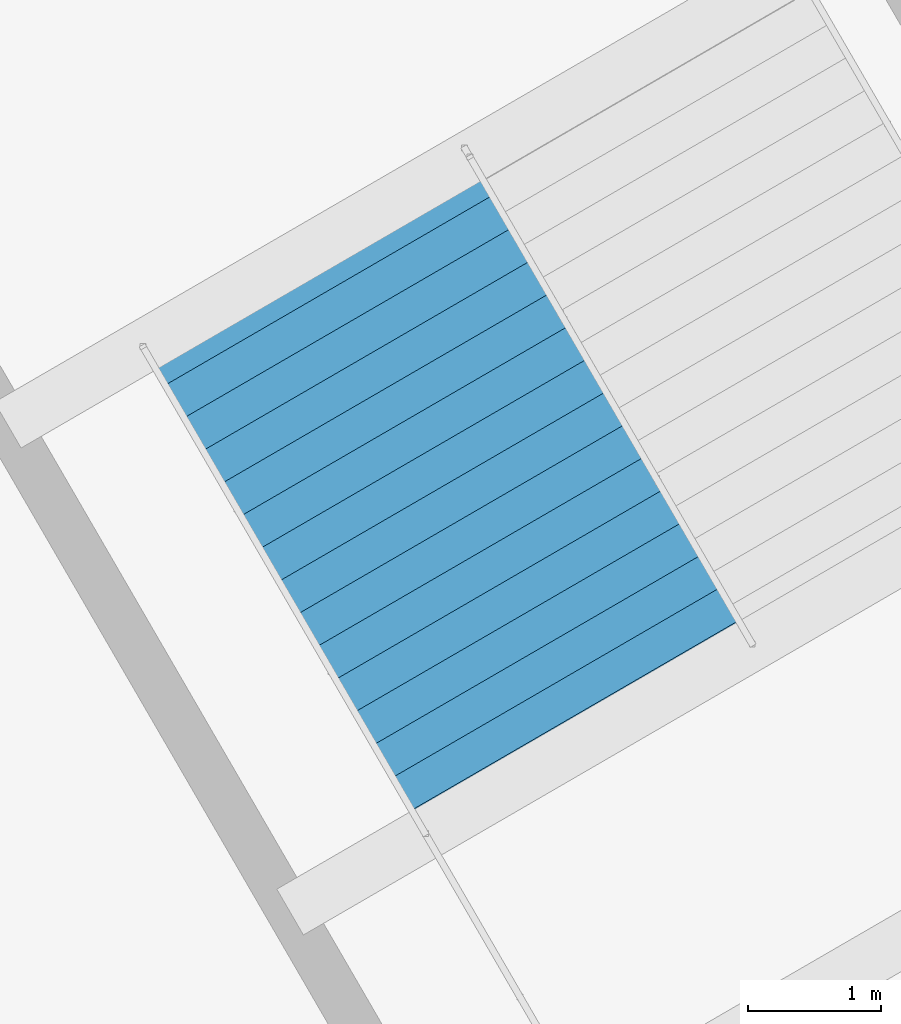
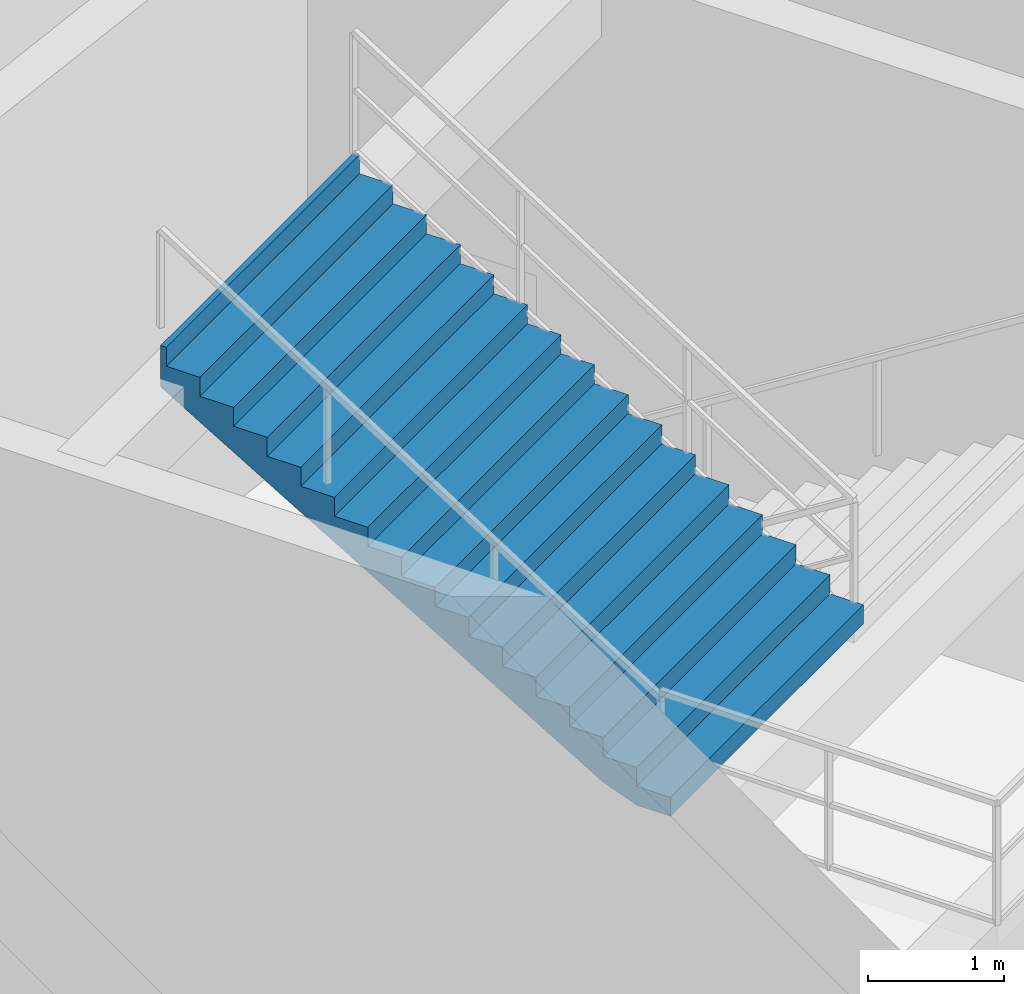
# One storey, part 21 of 49: 1 stair flight, 1 element without a shape of its own.
"""IFC4 building model written with IfcOpenShell, lengths in metres."""

from ifc_helpers import new_model, si_unit, direction, frame, origin, place, context, subcontext, project, spatial, polygons, material, type_object, element, aggregate, save


model = new_model("IFC4")

# Units and contexts
model_context = context("Model", 3, precision=1e-05, world=origin(), true_north=direction((0.0, 1.0)))
body_context = subcontext(model_context, "Body", "Model", "MODEL_VIEW")
ifc_project = project(units=[si_unit("LENGTHUNIT", "METRE"), si_unit("AREAUNIT", "SQUARE_METRE"), si_unit("VOLUMEUNIT", "CUBIC_METRE"), si_unit("PLANEANGLEUNIT", "RADIAN"), si_unit("MASSUNIT", "GRAM", prefix="KILO")], contexts=[model_context])

# Site, building, storey
site_placement = place(None, origin())
site = spatial("IfcSite", under=ifc_project, at=site_placement, CompositionType="ELEMENT")
building_placement = place(site_placement, origin())
building = spatial("IfcBuilding", under=site, at=building_placement, Name="Kazemori Nagisa Stadium", CompositionType="ELEMENT")
storey_placement = place(building_placement, frame((0.0, 0.0, -5.43994140625)))
storey = spatial("IfcBuildingStorey", under=building, at=storey_placement, Name="B1", CompositionType="ELEMENT", Elevation=-5.43994140625)

# Stair, stair flight
ifc_material = material(Name="Concrete C36/45 (Fc36)", Category="concrete")
stair_type = type_object("IfcStairType", Name="Stair_CORE_32", PredefinedType="TWO_STRAIGHT_RUN_STAIR", material=ifc_material)
stair_placement = place(storey_placement, origin())
stair = element("IfcStair", 1, at=stair_placement, inside=storey, type_object=stair_type, Name="Exit stair ST09 B1", PredefinedType="TWO_STRAIGHT_RUN_STAIR")
stair_flight_type = type_object("IfcStairFlightType", Name="Flight_CORE_16", PredefinedType="STRAIGHT", material=ifc_material)
stair_flight_placement = place(storey_placement, frame((43.329833984375, 58.31005859375, 2.719970703125), z_axis=(0.0, 0.0, 1.0), x_axis=(-0.501639459067, 0.865076790295, 0.0)))
stair_flight = element("IfcStairFlight", 2, at=stair_flight_placement, type_object=stair_flight_type, Name="Exit stair ST09 B1 flight 2", NumberOfRisers=16, NumberOfTreads=15, PredefinedType="STRAIGHT", RiserHeight=0.17, TreadLength=0.285, context=body_context, shape_type="Tessellation", body=[
    polygons([(0.0, -1.425048828125, 0.0), (0.0, -1.425048828125, 0.169921875), (0.284912109375, -1.425048828125, 0.169921875), (0.284912109375, -1.425048828125, 0.340087890625), (0.570068359375, -1.425048828125, 0.340087890625), (0.570068359375, -1.425048828125, 0.510009765625), (0.85498046875, -1.425048828125, 0.510009765625), (0.85498046875, -1.425048828125, 0.679931640625), (1.139892578125, -1.425048828125, 0.679931640625), (1.139892578125, -1.425048828125, 0.85009765625), (1.425048828125, -1.425048828125, 0.85009765625), (1.425048828125, -1.425048828125, 1.02001953125), (1.7099609375, -1.425048828125, 1.02001953125), (1.7099609375, -1.425048828125, 1.18994140625), (1.9951171875, -1.425048828125, 1.18994140625), (1.9951171875, -1.425048828125, 1.360107421875), (2.280029296875, -1.425048828125, 1.360107421875), (2.280029296875, -1.425048828125, 1.530029296875), (2.56494140625, -1.425048828125, 1.530029296875), (2.56494140625, -1.425048828125, 1.699951171875), (2.85009765625, -1.425048828125, 1.699951171875), (2.85009765625, -1.425048828125, 1.8701171875), (3.135009765625, -1.425048828125, 1.8701171875), (3.135009765625, -1.425048828125, 2.0400390625), (3.419921875, -1.425048828125, 2.0400390625), (3.419921875, -1.425048828125, 2.2099609375), (3.705078125, -1.425048828125, 2.2099609375), (3.705078125, -1.425048828125, 2.3798828125), (3.989990234375, -1.425048828125, 2.3798828125), (3.989990234375, -1.425048828125, 2.550048828125), (4.27490234375, -1.425048828125, 2.550048828125), (4.27490234375, -1.425048828125, 2.719970703125), (4.324951171875, -1.425048828125, 2.719970703125), (4.324951171875, -1.425048828125, 2.346923828125), (4.27490234375, -1.425048828125, 2.317138671875), (3.989990234375, -1.425048828125, 2.147216796875), (3.705078125, -1.425048828125, 1.977294921875), (3.419921875, -1.425048828125, 1.80712890625), (3.135009765625, -1.425048828125, 1.63720703125), (2.85009765625, -1.425048828125, 1.46728515625), (2.56494140625, -1.425048828125, 1.297119140625), (2.280029296875, -1.425048828125, 1.127197265625), (1.9951171875, -1.425048828125, 0.957275390625), (1.7099609375, -1.425048828125, 0.787109375), (1.425048828125, -1.425048828125, 0.6171875), (1.139892578125, -1.425048828125, 0.447265625), (0.85498046875, -1.425048828125, 0.277099609375), (0.570068359375, -1.425048828125, 0.107177734375), (0.284912109375, -1.425048828125, 0.0), (0.0, -0.08544921875, 0.0), (0.0, -0.08544921875, 0.169921875), (0.284912109375, -0.08544921875, 0.169921875), (0.284912109375, -0.08544921875, 0.340087890625), (0.570068359375, -0.08544921875, 0.340087890625), (0.570068359375, -0.08544921875, 0.510009765625), (0.85498046875, -0.08544921875, 0.510009765625), (0.85498046875, -0.08544921875, 0.679931640625), (1.139892578125, -0.08544921875, 0.679931640625), (1.139892578125, -0.08544921875, 0.85009765625), (1.425048828125, -0.08544921875, 0.85009765625), (1.425048828125, -0.08544921875, 1.02001953125), (1.7099609375, -0.08544921875, 1.02001953125), (1.7099609375, -0.08544921875, 1.18994140625), (1.9951171875, -0.08544921875, 1.18994140625), (1.9951171875, -0.08544921875, 1.360107421875), (2.280029296875, -0.08544921875, 1.360107421875), (2.280029296875, -0.08544921875, 1.530029296875), (2.56494140625, -0.08544921875, 1.530029296875), (2.56494140625, -0.08544921875, 1.699951171875), (2.85009765625, -0.08544921875, 1.699951171875), (2.85009765625, -0.08544921875, 1.8701171875), (3.135009765625, -0.08544921875, 1.8701171875), (3.135009765625, -0.08544921875, 2.0400390625), (3.419921875, -0.08544921875, 2.0400390625), (3.419921875, -0.08544921875, 2.2099609375), (3.705078125, -0.08544921875, 2.2099609375), (3.705078125, -0.08544921875, 2.3798828125), (3.989990234375, -0.08544921875, 2.3798828125), (3.989990234375, -0.08544921875, 2.550048828125), (4.27490234375, -0.08544921875, 2.550048828125), (4.27490234375, -0.08544921875, 2.719970703125), (4.324951171875, -0.08544921875, 2.719970703125), (4.324951171875, -0.08544921875, 2.346923828125), (4.27490234375, -0.08544921875, 2.317138671875), (3.989990234375, -0.08544921875, 2.147216796875), (3.705078125, -0.08544921875, 1.977294921875), (3.419921875, -0.08544921875, 1.80712890625), (3.135009765625, -0.08544921875, 1.63720703125), (2.85009765625, -0.08544921875, 1.46728515625), (2.56494140625, -0.08544921875, 1.297119140625), (2.280029296875, -0.08544921875, 1.127197265625), (1.9951171875, -0.08544921875, 0.957275390625), (1.7099609375, -0.08544921875, 0.787109375), (1.425048828125, -0.08544921875, 0.6171875), (1.139892578125, -0.08544921875, 0.447265625), (0.85498046875, -0.08544921875, 0.277099609375), (0.570068359375, -0.08544921875, 0.107177734375), (0.284912109375, -0.08544921875, 0.0), (0.0, 0.0, 0.0), (0.0, 0.0, 0.169921875), (0.284912109375, 0.0, 0.169921875), (0.284912109375, 0.0, 0.340087890625), (0.570068359375, 0.0, 0.340087890625), (0.570068359375, 0.0, 0.510009765625), (0.85498046875, 0.0, 0.510009765625), (0.85498046875, 0.0, 0.679931640625), (1.139892578125, 0.0, 0.679931640625), (1.139892578125, 0.0, 0.85009765625), (1.425048828125, 0.0, 0.85009765625), (1.425048828125, 0.0, 1.02001953125), (1.7099609375, 0.0, 1.02001953125), (1.7099609375, 0.0, 1.18994140625), (1.9951171875, 0.0, 1.18994140625), (1.9951171875, 0.0, 1.360107421875), (2.280029296875, 0.0, 1.360107421875), (2.280029296875, 0.0, 1.530029296875), (2.56494140625, 0.0, 1.530029296875), (2.56494140625, 0.0, 1.699951171875), (2.85009765625, 0.0, 1.699951171875), (2.85009765625, 0.0, 1.8701171875), (3.135009765625, 0.0, 1.8701171875), (3.135009765625, 0.0, 2.0400390625), (3.419921875, 0.0, 2.0400390625), (3.419921875, 0.0, 2.2099609375), (3.705078125, 0.0, 2.2099609375), (3.705078125, 0.0, 2.3798828125), (3.989990234375, 0.0, 2.3798828125), (3.989990234375, 0.0, 2.550048828125), (4.27490234375, 0.0, 2.550048828125), (4.27490234375, 0.0, 2.719970703125), (4.324951171875, 0.0, 2.719970703125), (4.324951171875, 0.0, 2.346923828125), (4.27490234375, 0.0, 2.317138671875), (3.989990234375, 0.0, 2.147216796875), (3.705078125, 0.0, 1.977294921875), (3.419921875, 0.0, 1.80712890625), (3.135009765625, 0.0, 1.63720703125), (2.85009765625, 0.0, 1.46728515625), (2.56494140625, 0.0, 1.297119140625), (2.280029296875, 0.0, 1.127197265625), (1.9951171875, 0.0, 0.957275390625), (1.7099609375, 0.0, 0.787109375), (1.425048828125, 0.0, 0.6171875), (1.139892578125, 0.0, 0.447265625), (0.85498046875, 0.0, 0.277099609375), (0.570068359375, 0.0, 0.107177734375), (0.284912109375, 0.0, 0.0), (0.0, 0.08544921875, 0.0), (0.0, 0.08544921875, 0.169921875), (0.284912109375, 0.08544921875, 0.169921875), (0.284912109375, 0.08544921875, 0.340087890625), (0.570068359375, 0.08544921875, 0.340087890625), (0.570068359375, 0.08544921875, 0.510009765625), (0.85498046875, 0.08544921875, 0.510009765625), (0.85498046875, 0.08544921875, 0.679931640625), (1.139892578125, 0.08544921875, 0.679931640625), (1.139892578125, 0.08544921875, 0.85009765625), (1.425048828125, 0.08544921875, 0.85009765625), (1.425048828125, 0.08544921875, 1.02001953125), (1.7099609375, 0.08544921875, 1.02001953125), (1.7099609375, 0.08544921875, 1.18994140625), (1.9951171875, 0.08544921875, 1.18994140625), (1.9951171875, 0.08544921875, 1.360107421875), (2.280029296875, 0.08544921875, 1.360107421875), (2.280029296875, 0.08544921875, 1.530029296875), (2.56494140625, 0.08544921875, 1.530029296875), (2.56494140625, 0.08544921875, 1.699951171875), (2.85009765625, 0.08544921875, 1.699951171875), (2.85009765625, 0.08544921875, 1.8701171875), (3.135009765625, 0.08544921875, 1.8701171875), (3.135009765625, 0.08544921875, 2.0400390625), (3.419921875, 0.08544921875, 2.0400390625), (3.419921875, 0.08544921875, 2.2099609375), (3.705078125, 0.08544921875, 2.2099609375), (3.705078125, 0.08544921875, 2.3798828125), (3.989990234375, 0.08544921875, 2.3798828125), (3.989990234375, 0.08544921875, 2.550048828125), (4.27490234375, 0.08544921875, 2.550048828125), (4.27490234375, 0.08544921875, 2.719970703125), (4.324951171875, 0.08544921875, 2.719970703125), (4.324951171875, 0.08544921875, 2.346923828125), (4.27490234375, 0.08544921875, 2.317138671875), (3.989990234375, 0.08544921875, 2.147216796875), (3.705078125, 0.08544921875, 1.977294921875), (3.419921875, 0.08544921875, 1.80712890625), (3.135009765625, 0.08544921875, 1.63720703125), (2.85009765625, 0.08544921875, 1.46728515625), (2.56494140625, 0.08544921875, 1.297119140625), (2.280029296875, 0.08544921875, 1.127197265625), (1.9951171875, 0.08544921875, 0.957275390625), (1.7099609375, 0.08544921875, 0.787109375), (1.425048828125, 0.08544921875, 0.6171875), (1.139892578125, 0.08544921875, 0.447265625), (0.85498046875, 0.08544921875, 0.277099609375), (0.570068359375, 0.08544921875, 0.107177734375), (0.284912109375, 0.08544921875, 0.0), (0.0, 1.425048828125, 0.0), (0.0, 1.425048828125, 0.169921875), (0.284912109375, 1.425048828125, 0.169921875), (0.284912109375, 1.425048828125, 0.340087890625), (0.570068359375, 1.425048828125, 0.340087890625), (0.570068359375, 1.425048828125, 0.510009765625), (0.85498046875, 1.425048828125, 0.510009765625), (0.85498046875, 1.425048828125, 0.679931640625), (1.139892578125, 1.425048828125, 0.679931640625), (1.139892578125, 1.425048828125, 0.85009765625), (1.425048828125, 1.425048828125, 0.85009765625), (1.425048828125, 1.425048828125, 1.02001953125), (1.7099609375, 1.425048828125, 1.02001953125), (1.7099609375, 1.425048828125, 1.18994140625), (1.9951171875, 1.425048828125, 1.18994140625), (1.9951171875, 1.425048828125, 1.360107421875), (2.280029296875, 1.425048828125, 1.360107421875), (2.280029296875, 1.425048828125, 1.530029296875), (2.56494140625, 1.425048828125, 1.530029296875), (2.56494140625, 1.425048828125, 1.699951171875), (2.85009765625, 1.425048828125, 1.699951171875), (2.85009765625, 1.425048828125, 1.8701171875), (3.135009765625, 1.425048828125, 1.8701171875), (3.135009765625, 1.425048828125, 2.0400390625), (3.419921875, 1.425048828125, 2.0400390625), (3.419921875, 1.425048828125, 2.2099609375), (3.705078125, 1.425048828125, 2.2099609375), (3.705078125, 1.425048828125, 2.3798828125), (3.989990234375, 1.425048828125, 2.3798828125), (3.989990234375, 1.425048828125, 2.550048828125), (4.27490234375, 1.425048828125, 2.550048828125), (4.27490234375, 1.425048828125, 2.719970703125), (4.324951171875, 1.425048828125, 2.719970703125), (4.324951171875, 1.425048828125, 2.346923828125), (4.27490234375, 1.425048828125, 2.317138671875), (3.989990234375, 1.425048828125, 2.147216796875), (3.705078125, 1.425048828125, 1.977294921875), (3.419921875, 1.425048828125, 1.80712890625), (3.135009765625, 1.425048828125, 1.63720703125), (2.85009765625, 1.425048828125, 1.46728515625), (2.56494140625, 1.425048828125, 1.297119140625), (2.280029296875, 1.425048828125, 1.127197265625), (1.9951171875, 1.425048828125, 0.957275390625), (1.7099609375, 1.425048828125, 0.787109375), (1.425048828125, 1.425048828125, 0.6171875), (1.139892578125, 1.425048828125, 0.447265625), (0.85498046875, 1.425048828125, 0.277099609375), (0.570068359375, 1.425048828125, 0.107177734375), (0.284912109375, 1.425048828125, 0.0)], [[[1, 2, 51]], [[1, 51, 50]], [[2, 3, 52]], [[2, 52, 51]], [[3, 4, 53]], [[3, 53, 52]], [[4, 5, 54]], [[4, 54, 53]], [[5, 6, 55]], [[5, 55, 54]], [[6, 7, 56]], [[6, 56, 55]], [[7, 8, 57]], [[7, 57, 56]], [[8, 9, 58]], [[8, 58, 57]], [[9, 10, 59]], [[9, 59, 58]], [[10, 11, 60]], [[10, 60, 59]], [[11, 12, 61]], [[11, 61, 60]], [[12, 13, 62]], [[12, 62, 61]], [[13, 14, 63]], [[13, 63, 62]], [[14, 15, 64]], [[14, 64, 63]], [[15, 16, 65]], [[15, 65, 64]], [[16, 17, 66]], [[16, 66, 65]], [[17, 18, 67]], [[17, 67, 66]], [[18, 19, 68]], [[18, 68, 67]], [[19, 20, 69]], [[19, 69, 68]], [[20, 21, 70]], [[20, 70, 69]], [[21, 22, 71]], [[21, 71, 70]], [[22, 23, 72]], [[22, 72, 71]], [[23, 24, 73]], [[23, 73, 72]], [[24, 25, 74]], [[24, 74, 73]], [[25, 26, 75]], [[25, 75, 74]], [[26, 27, 76]], [[26, 76, 75]], [[27, 28, 77]], [[27, 77, 76]], [[28, 29, 78]], [[28, 78, 77]], [[29, 30, 79]], [[29, 79, 78]], [[30, 31, 80]], [[30, 80, 79]], [[31, 32, 81]], [[31, 81, 80]], [[32, 33, 82]], [[32, 82, 81]], [[33, 34, 83]], [[33, 83, 82]], [[34, 35, 84]], [[34, 84, 83]], [[35, 36, 85]], [[35, 85, 84]], [[36, 37, 86]], [[36, 86, 85]], [[37, 38, 87]], [[37, 87, 86]], [[38, 39, 88]], [[38, 88, 87]], [[39, 40, 89]], [[39, 89, 88]], [[40, 41, 90]], [[40, 90, 89]], [[41, 42, 91]], [[41, 91, 90]], [[42, 43, 92]], [[42, 92, 91]], [[43, 44, 93]], [[43, 93, 92]], [[44, 45, 94]], [[44, 94, 93]], [[45, 46, 95]], [[45, 95, 94]], [[46, 47, 96]], [[46, 96, 95]], [[47, 48, 97]], [[47, 97, 96]], [[48, 49, 98]], [[48, 98, 97]], [[49, 1, 50]], [[49, 50, 98]], [[50, 51, 100]], [[50, 100, 99]], [[51, 52, 101]], [[51, 101, 100]], [[52, 53, 102]], [[52, 102, 101]], [[53, 54, 103]], [[53, 103, 102]], [[54, 55, 104]], [[54, 104, 103]], [[55, 56, 105]], [[55, 105, 104]], [[56, 57, 106]], [[56, 106, 105]], [[57, 58, 107]], [[57, 107, 106]], [[58, 59, 108]], [[58, 108, 107]], [[59, 60, 109]], [[59, 109, 108]], [[60, 61, 110]], [[60, 110, 109]], [[61, 62, 111]], [[61, 111, 110]], [[62, 63, 112]], [[62, 112, 111]], [[63, 64, 113]], [[63, 113, 112]], [[64, 65, 114]], [[64, 114, 113]], [[65, 66, 115]], [[65, 115, 114]], [[66, 67, 116]], [[66, 116, 115]], [[67, 68, 117]], [[67, 117, 116]], [[68, 69, 118]], [[68, 118, 117]], [[69, 70, 119]], [[69, 119, 118]], [[70, 71, 120]], [[70, 120, 119]], [[71, 72, 121]], [[71, 121, 120]], [[72, 73, 122]], [[72, 122, 121]], [[73, 74, 123]], [[73, 123, 122]], [[74, 75, 124]], [[74, 124, 123]], [[75, 76, 125]], [[75, 125, 124]], [[76, 77, 126]], [[76, 126, 125]], [[77, 78, 127]], [[77, 127, 126]], [[78, 79, 128]], [[78, 128, 127]], [[79, 80, 129]], [[79, 129, 128]], [[80, 81, 130]], [[80, 130, 129]], [[81, 82, 131]], [[81, 131, 130]], [[82, 83, 132]], [[82, 132, 131]], [[83, 84, 133]], [[83, 133, 132]], [[84, 85, 134]], [[84, 134, 133]], [[85, 86, 135]], [[85, 135, 134]], [[86, 87, 136]], [[86, 136, 135]], [[87, 88, 137]], [[87, 137, 136]], [[88, 89, 138]], [[88, 138, 137]], [[89, 90, 139]], [[89, 139, 138]], [[90, 91, 140]], [[90, 140, 139]], [[91, 92, 141]], [[91, 141, 140]], [[92, 93, 142]], [[92, 142, 141]], [[93, 94, 143]], [[93, 143, 142]], [[94, 95, 144]], [[94, 144, 143]], [[95, 96, 145]], [[95, 145, 144]], [[96, 97, 146]], [[96, 146, 145]], [[97, 98, 147]], [[97, 147, 146]], [[98, 50, 99]], [[98, 99, 147]], [[99, 100, 149]], [[99, 149, 148]], [[100, 101, 150]], [[100, 150, 149]], [[101, 102, 151]], [[101, 151, 150]], [[102, 103, 152]], [[102, 152, 151]], [[103, 104, 153]], [[103, 153, 152]], [[104, 105, 154]], [[104, 154, 153]], [[105, 106, 155]], [[105, 155, 154]], [[106, 107, 156]], [[106, 156, 155]], [[107, 108, 157]], [[107, 157, 156]], [[108, 109, 158]], [[108, 158, 157]], [[109, 110, 159]], [[109, 159, 158]], [[110, 111, 160]], [[110, 160, 159]], [[111, 112, 161]], [[111, 161, 160]], [[112, 113, 162]], [[112, 162, 161]], [[113, 114, 163]], [[113, 163, 162]], [[114, 115, 164]], [[114, 164, 163]], [[115, 116, 165]], [[115, 165, 164]], [[116, 117, 166]], [[116, 166, 165]], [[117, 118, 167]], [[117, 167, 166]], [[118, 119, 168]], [[118, 168, 167]], [[119, 120, 169]], [[119, 169, 168]], [[120, 121, 170]], [[120, 170, 169]], [[121, 122, 171]], [[121, 171, 170]], [[122, 123, 172]], [[122, 172, 171]], [[123, 124, 173]], [[123, 173, 172]], [[124, 125, 174]], [[124, 174, 173]], [[125, 126, 175]], [[125, 175, 174]], [[126, 127, 176]], [[126, 176, 175]], [[127, 128, 177]], [[127, 177, 176]], [[128, 129, 178]], [[128, 178, 177]], [[129, 130, 179]], [[129, 179, 178]], [[130, 131, 180]], [[130, 180, 179]], [[131, 132, 181]], [[131, 181, 180]], [[132, 133, 182]], [[132, 182, 181]], [[133, 134, 183]], [[133, 183, 182]], [[134, 135, 184]], [[134, 184, 183]], [[135, 136, 185]], [[135, 185, 184]], [[136, 137, 186]], [[136, 186, 185]], [[137, 138, 187]], [[137, 187, 186]], [[138, 139, 188]], [[138, 188, 187]], [[139, 140, 189]], [[139, 189, 188]], [[140, 141, 190]], [[140, 190, 189]], [[141, 142, 191]], [[141, 191, 190]], [[142, 143, 192]], [[142, 192, 191]], [[143, 144, 193]], [[143, 193, 192]], [[144, 145, 194]], [[144, 194, 193]], [[145, 146, 195]], [[145, 195, 194]], [[146, 147, 196]], [[146, 196, 195]], [[147, 99, 148]], [[147, 148, 196]], [[148, 149, 198]], [[148, 198, 197]], [[149, 150, 199]], [[149, 199, 198]], [[150, 151, 200]], [[150, 200, 199]], [[151, 152, 201]], [[151, 201, 200]], [[152, 153, 202]], [[152, 202, 201]], [[153, 154, 203]], [[153, 203, 202]], [[154, 155, 204]], [[154, 204, 203]], [[155, 156, 205]], [[155, 205, 204]], [[156, 157, 206]], [[156, 206, 205]], [[157, 158, 207]], [[157, 207, 206]], [[158, 159, 208]], [[158, 208, 207]], [[159, 160, 209]], [[159, 209, 208]], [[160, 161, 210]], [[160, 210, 209]], [[161, 162, 211]], [[161, 211, 210]], [[162, 163, 212]], [[162, 212, 211]], [[163, 164, 213]], [[163, 213, 212]], [[164, 165, 214]], [[164, 214, 213]], [[165, 166, 215]], [[165, 215, 214]], [[166, 167, 216]], [[166, 216, 215]], [[167, 168, 217]], [[167, 217, 216]], [[168, 169, 218]], [[168, 218, 217]], [[169, 170, 219]], [[169, 219, 218]], [[170, 171, 220]], [[170, 220, 219]], [[171, 172, 221]], [[171, 221, 220]], [[172, 173, 222]], [[172, 222, 221]], [[173, 174, 223]], [[173, 223, 222]], [[174, 175, 224]], [[174, 224, 223]], [[175, 176, 225]], [[175, 225, 224]], [[176, 177, 226]], [[176, 226, 225]], [[177, 178, 227]], [[177, 227, 226]], [[178, 179, 228]], [[178, 228, 227]], [[179, 180, 229]], [[179, 229, 228]], [[180, 181, 230]], [[180, 230, 229]], [[181, 182, 231]], [[181, 231, 230]], [[182, 183, 232]], [[182, 232, 231]], [[183, 184, 233]], [[183, 233, 232]], [[184, 185, 234]], [[184, 234, 233]], [[185, 186, 235]], [[185, 235, 234]], [[186, 187, 236]], [[186, 236, 235]], [[187, 188, 237]], [[187, 237, 236]], [[188, 189, 238]], [[188, 238, 237]], [[189, 190, 239]], [[189, 239, 238]], [[190, 191, 240]], [[190, 240, 239]], [[191, 192, 241]], [[191, 241, 240]], [[192, 193, 242]], [[192, 242, 241]], [[193, 194, 243]], [[193, 243, 242]], [[194, 195, 244]], [[194, 244, 243]], [[195, 196, 245]], [[195, 245, 244]], [[196, 148, 197]], [[196, 197, 245]], [[3, 2, 1]], [[197, 198, 199]], [[49, 3, 1]], [[197, 199, 245]], [[48, 3, 49]], [[245, 199, 244]], [[5, 3, 48]], [[244, 199, 201]], [[5, 4, 3]], [[199, 200, 201]], [[47, 5, 48]], [[244, 201, 243]], [[7, 5, 47]], [[243, 201, 203]], [[7, 6, 5]], [[201, 202, 203]], [[46, 7, 47]], [[243, 203, 242]], [[9, 7, 46]], [[242, 203, 205]], [[9, 8, 7]], [[203, 204, 205]], [[45, 9, 46]], [[242, 205, 241]], [[11, 9, 45]], [[241, 205, 207]], [[11, 10, 9]], [[205, 206, 207]], [[44, 11, 45]], [[241, 207, 240]], [[13, 11, 44]], [[240, 207, 209]], [[13, 12, 11]], [[207, 208, 209]], [[43, 13, 44]], [[240, 209, 239]], [[15, 13, 43]], [[239, 209, 211]], [[15, 14, 13]], [[209, 210, 211]], [[42, 15, 43]], [[239, 211, 238]], [[17, 15, 42]], [[238, 211, 213]], [[17, 16, 15]], [[211, 212, 213]], [[41, 17, 42]], [[238, 213, 237]], [[19, 17, 41]], [[237, 213, 215]], [[19, 18, 17]], [[213, 214, 215]], [[40, 19, 41]], [[237, 215, 236]], [[21, 19, 40]], [[236, 215, 217]], [[21, 20, 19]], [[215, 216, 217]], [[39, 21, 40]], [[236, 217, 235]], [[23, 21, 39]], [[235, 217, 219]], [[23, 22, 21]], [[217, 218, 219]], [[38, 23, 39]], [[235, 219, 234]], [[25, 23, 38]], [[234, 219, 221]], [[25, 24, 23]], [[219, 220, 221]], [[37, 25, 38]], [[234, 221, 233]], [[27, 25, 37]], [[233, 221, 223]], [[27, 26, 25]], [[221, 222, 223]], [[36, 27, 37]], [[233, 223, 232]], [[29, 27, 36]], [[232, 223, 225]], [[29, 28, 27]], [[223, 224, 225]], [[35, 29, 36]], [[232, 225, 231]], [[31, 29, 35]], [[231, 225, 227]], [[31, 30, 29]], [[225, 226, 227]], [[34, 31, 35]], [[231, 227, 230]], [[33, 31, 34]], [[230, 227, 229]], [[33, 32, 31]], [[227, 228, 229]]], closed=True),
])
aggregate(stair, [stair_flight])

save(model, "model.ifc")
